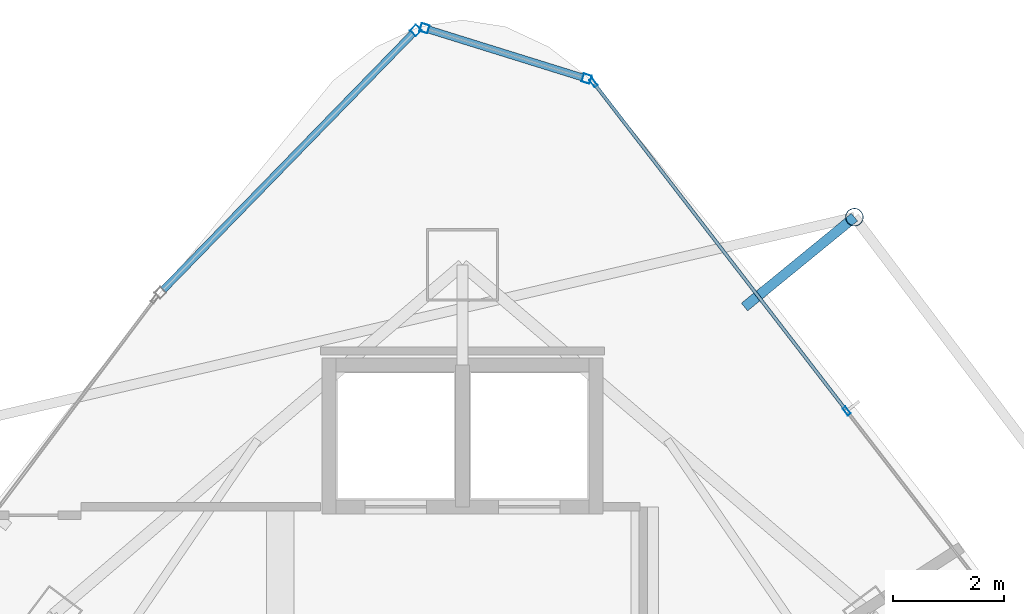
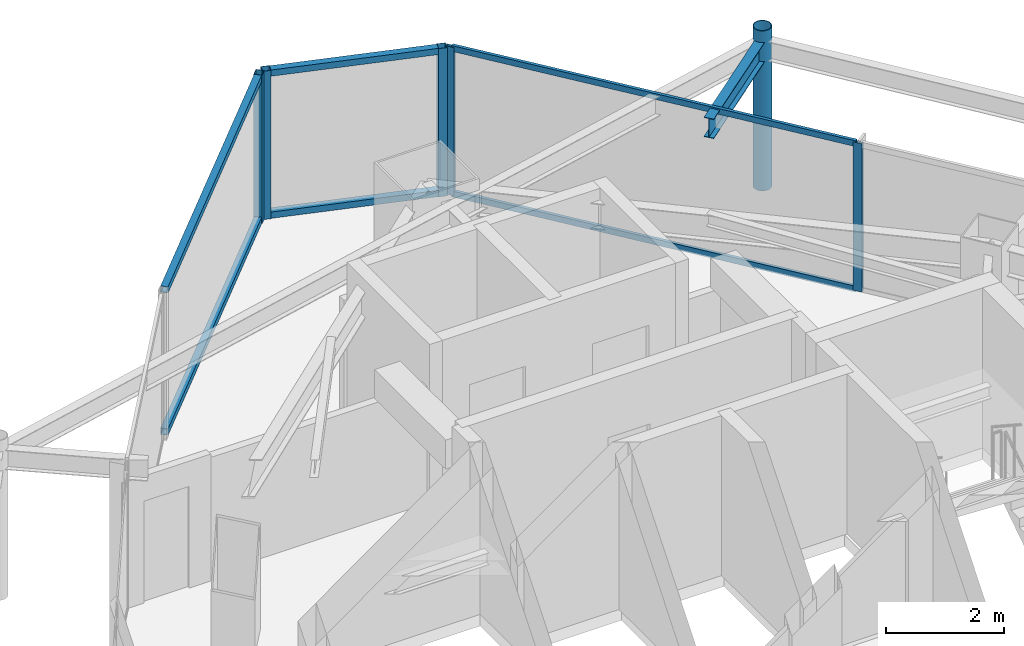
# One storey, part 23 of 30: 12 members, 1 beam, 3 elements without a shape of their own.
"""IFC4 building model written with IfcOpenShell, lengths in metres."""

from ifc_helpers import new_model, si_unit, direction, frame, origin, origin_2d, place, context, subcontext, project, spatial, hollow_rectangle, hollow_circle, i_section, extrude, material, layer, layer_set, material_profile, profile_set, type_object, element, aggregate, save


model = new_model("IFC4")

# Units and contexts
model_context = context("Model", 3, precision=1e-05, world=origin(), true_north=direction((0.0, 1.0)))
body_context = subcontext(model_context, "Body", "Model", "MODEL_VIEW")
ifc_project = project(units=[si_unit("LENGTHUNIT", "METRE"), si_unit("AREAUNIT", "SQUARE_METRE"), si_unit("VOLUMEUNIT", "CUBIC_METRE"), si_unit("PLANEANGLEUNIT", "RADIAN"), si_unit("MASSUNIT", "GRAM", prefix="KILO")], contexts=[model_context])

# Site, building, storey
site_placement = place(None, origin())
site = spatial("IfcSite", under=ifc_project, at=site_placement, CompositionType="ELEMENT")
building_placement = place(site_placement, origin())
building = spatial("IfcBuilding", under=site, at=building_placement, Name="Orvanel Arch Residences", CompositionType="ELEMENT")
storey_placement = place(building_placement, frame((0.0, 0.0, 226.10009765625)))
storey = spatial("IfcBuildingStorey", under=building, at=storey_placement, Name="L64", CompositionType="ELEMENT", Elevation=226.10009765625)

# Curtain wall, members
ifc_material_1 = material(Name="Bronze-anodised aluminium AA6063-T6", Category="aluminium")
ifc_layer_1 = layer(ifc_material_1, 0.18994140625)
ifc_layer_set_1 = layer_set([ifc_layer_1], Name="Bronze-anodised aluminium AA6063-T6")
curtain_wall_type_1 = type_object("IfcCurtainWallType", Name="CW5-CRN-SYS", PredefinedType="NOTDEFINED", material=ifc_layer_set_1)
curtain_wall_1_placement = place(storey_placement, origin())
curtain_wall_1 = element("IfcCurtainWall", 1, at=curtain_wall_1_placement, inside=storey, type_object=curtain_wall_type_1, Name="L64 CW5-CRN-SYS Unitised Curtain Wall", PredefinedType="NOTDEFINED")
ifc_material_profile_1 = material_profile(ifc_material_1, hollow_rectangle(XDim=0.14990234375, YDim=0.14990234375, WallThickness=0.0048828125, at=origin_2d()), Name="ALU150x150x5")
ifc_profile_set_1 = profile_set([ifc_material_profile_1], Name="Bronze-anodised aluminium AA6063-T6")
member_type_1 = type_object("IfcMemberType", Name="MUL-150x150", PredefinedType="MULLION", material=ifc_profile_set_1)
member_1_placement = place(storey_placement, frame((35.23046875, 44.7421875, 0.0), z_axis=(0.0, 0.0, 1.0), x_axis=(-0.297136187501, -0.954835109366, 0.0)))
member_1 = element("IfcMember", 2, at=member_1_placement, type_object=member_type_1, Name="CW-S5 mullion 1", PredefinedType="MULLION", context=body_context, shape_type="SweptSolid", body=[
    extrude(hollow_rectangle(XDim=0.14990234375, YDim=0.14990234375, WallThickness=0.0048828125, at=origin_2d()), origin(), (0.0, 0.0, 1.0), 3.059814453125),
])
member_2_placement = place(storey_placement, frame((32.317626953125, 45.648681640625, 0.0), z_axis=(0.0, 0.0, 1.0), x_axis=(-0.297136187501, -0.954835109366, 0.0)))
member_2 = element("IfcMember", 3, at=member_2_placement, type_object=member_type_1, Name="CW-S5 mullion 2", PredefinedType="MULLION", context=body_context, shape_type="SweptSolid", body=[
    extrude(hollow_rectangle(XDim=0.14990234375, YDim=0.14990234375, WallThickness=0.0048828125, at=origin_2d()), origin(), (0.0, 0.0, 1.0), 3.059814453125),
])

# Curtain wall, member
curtain_wall_2_placement = place(storey_placement, origin())
curtain_wall_2 = element("IfcCurtainWall", 4, at=curtain_wall_2_placement, inside=storey, type_object=curtain_wall_type_1, Name="L64 CW5-CRN-SYS Unitised Curtain Wall", PredefinedType="NOTDEFINED")
member_3_placement = place(storey_placement, frame((32.16064453125, 45.609375, 0.0), z_axis=(0.0, 0.0, 1.0), x_axis=(0.716477049978, -0.697610662802, 0.0)))
member_3 = element("IfcMember", 5, at=member_3_placement, type_object=member_type_1, Name="CW-S5 mullion 1", PredefinedType="MULLION", context=body_context, shape_type="SweptSolid", body=[
    extrude(hollow_rectangle(XDim=0.14990234375, YDim=0.14990234375, WallThickness=0.0048828125, at=origin_2d()), origin(), (0.0, 0.0, 1.0), 3.059814453125),
])

# Curtain wall, members
ifc_layer_2 = layer(ifc_material_1, 0.175048828125)
ifc_layer_set_2 = layer_set([ifc_layer_2], Name="Bronze-anodised aluminium AA6063-T6")
curtain_wall_type_2 = type_object("IfcCurtainWallType", Name="CW4-HI-SYS", PredefinedType="NOTDEFINED", material=ifc_layer_set_2)
curtain_wall_3_placement = place(storey_placement, origin())
curtain_wall_3 = element("IfcCurtainWall", 6, at=curtain_wall_3_placement, inside=storey, type_object=curtain_wall_type_2, Name="L64 CW4-HI-SYS Unitised Curtain Wall", PredefinedType="NOTDEFINED")
ifc_material_profile_2 = material_profile(ifc_material_1, hollow_rectangle(XDim=0.06494140625, YDim=0.159912109375, WallThickness=0.00390625, at=origin_2d()), Name="ALU160x65x4")
ifc_profile_set_2 = profile_set([ifc_material_profile_2], Name="Bronze-anodised aluminium AA6063-T6")
member_type_2 = type_object("IfcMemberType", Name="MUL-160x65", PredefinedType="MULLION", material=ifc_profile_set_2)
member_4_placement = place(storey_placement, frame((39.903564453125, 38.77197265625, 0.0), z_axis=(0.0, 0.0, 1.0), x_axis=(-0.791845950951, -0.610720877294, 0.0)))
member_4 = element("IfcMember", 7, at=member_4_placement, type_object=member_type_2, Name="CW-S4 mullion 2", PredefinedType="MULLION", context=body_context, shape_type="SweptSolid", body=[
    extrude(hollow_rectangle(XDim=0.06494140625, YDim=0.159912109375, WallThickness=0.00390625, at=origin_2d()), origin(), (0.0, 0.0, 1.0), 3.059814453125),
])
member_5_placement = place(storey_placement, frame((35.352783203125, 44.67236328125, 0.0), z_axis=(0.0, 0.0, 1.0), x_axis=(-0.791845950951, -0.610720877294, 0.0)))
member_5 = element("IfcMember", 8, at=member_5_placement, type_object=member_type_2, Name="CW-S4 mullion 3", PredefinedType="MULLION", context=body_context, shape_type="SweptSolid", body=[
    extrude(hollow_rectangle(XDim=0.06494140625, YDim=0.159912109375, WallThickness=0.00390625, at=origin_2d()), origin(), (0.0, 0.0, 1.0), 3.059814453125),
])

# Beam
ifc_material_2 = material(Name="Structural steel AS/NZS 3679.1 Grade 300 (300 MPa)", Category="steel")
ifc_material_profile_3 = material_profile(ifc_material_2, i_section(OverallWidth=0.177978515625, OverallDepth=0.406005859375, WebThickness=0.0078125, FlangeThickness=0.0126953125, at=origin_2d()), Name="410UB59.7")
ifc_profile_set_3 = profile_set([ifc_material_profile_3], Name="Structural steel AS/NZS 3679.1 Grade 300 (300 MPa)")
beam_type = type_object("IfcBeamType", Name="OB-410UB-EXT", PredefinedType="SPANDREL", material=ifc_profile_set_3)
beam_placement = place(storey_placement, frame((38.06689453125, 40.639892578125, 2.85693359375), z_axis=(0.774336704481, 0.632773789038, 0.0), x_axis=(-0.632773789038, 0.774336704481, 0.0)))
element("IfcBeam", 9, at=beam_placement, inside=storey, type_object=beam_type, Name="L64 Outer Frame Radial Tie Beam 12", PredefinedType="SPANDREL", context=body_context, shape_type="SweptSolid", body=[
    extrude(i_section(OverallWidth=0.177978515625, OverallDepth=0.406005859375, WebThickness=0.0078125, FlangeThickness=0.0126953125, at=origin_2d()), origin(), (0.0, 0.0, 1.0), 2.55078125),
])

# Member
ifc_material_3 = material(Name="Structural steel AS/NZS 1163 C350L0 (Grade 350)", Category="steel")
ifc_material_profile_4 = material_profile(ifc_material_3, hollow_circle(Radius=0.162109375, WallThickness=0.0126953125, at=origin_2d()), Name="CHS324x12.7")
ifc_profile_set_4 = profile_set([ifc_material_profile_4], Name="Structural steel AS/NZS 1163 C350L0 (Grade 350)")
member_type_3 = type_object("IfcMemberType", Name="ST-324CHS-EXT", PredefinedType="STRUT", material=ifc_profile_set_4)
member_6_placement = place(storey_placement, frame((40.0419921875, 42.25390625, 0.0), z_axis=(0.0, 0.0, 1.0), x_axis=(1.0, 0.0, 0.0)))
element("IfcMember", 10, at=member_6_placement, inside=storey, type_object=member_type_3, Name="L64 Outer Perimeter Frame Post 12", PredefinedType="STRUT", context=body_context, shape_type="SweptSolid", body=[
    extrude(hollow_circle(Radius=0.162109375, WallThickness=0.0126953125, at=origin_2d()), origin(), (0.0, 0.0, 1.0), 3.2998046875),
])

ifc_material_profile_5 = material_profile(ifc_material_1, hollow_rectangle(XDim=0.06005859375, YDim=0.1201171875, WallThickness=0.00341796875, at=origin_2d()), Name="ALU120x60x3.5")
ifc_profile_set_5 = profile_set([ifc_material_profile_5], Name="Bronze-anodised aluminium AA6063-T6")
member_type_4 = type_object("IfcMemberType", Name="TRN-120x60", PredefinedType="USERDEFINED", material=ifc_profile_set_5)
member_7_placement = place(storey_placement, frame((39.883544921875, 38.7978515625, 0.02978515625), z_axis=(-0.610713455714, 0.79185167488, 0.0), x_axis=(-0.79185167488, -0.610713455714, 0.0)))
member_7 = element("IfcMember", 11, at=member_7_placement, type_object=member_type_4, Name="CW-S4 transom 2.1", ObjectType="TRANSOM", PredefinedType="USERDEFINED", context=body_context, shape_type="SweptSolid", body=[
    extrude(hollow_rectangle(XDim=0.06005859375, YDim=0.1201171875, WallThickness=0.00341796875, at=origin_2d()), origin(), (0.0, 0.0, 1.0), 7.385986328125),
])

member_8_placement = place(storey_placement, frame((39.883544921875, 38.7978515625, 3.02978515625), z_axis=(-0.610713455714, 0.79185167488, 0.0), x_axis=(-0.79185167488, -0.610713455714, 0.0)))
member_8 = element("IfcMember", 12, at=member_8_placement, type_object=member_type_4, Name="CW-S4 transom 2.2", ObjectType="TRANSOM", PredefinedType="USERDEFINED", context=body_context, shape_type="SweptSolid", body=[
    extrude(hollow_rectangle(XDim=0.06005859375, YDim=0.1201171875, WallThickness=0.00341796875, at=origin_2d()), origin(), (0.0, 0.0, 1.0), 7.385986328125),
])

aggregate(curtain_wall_3, [member_4, member_5, member_7, member_8])

ifc_material_profile_6 = material_profile(ifc_material_1, hollow_rectangle(XDim=0.1298828125, YDim=0.1298828125, WallThickness=0.00439453125, at=origin_2d()), Name="ALU130x130x4.5")
ifc_profile_set_6 = profile_set([ifc_material_profile_6], Name="Bronze-anodised aluminium AA6063-T6")
member_type_5 = type_object("IfcMemberType", Name="TRN-130x130", PredefinedType="USERDEFINED", material=ifc_profile_set_6)
member_9_placement = place(storey_placement, frame((35.15869140625, 44.7646484375, 0.06494140625), z_axis=(-0.954838735165, 0.29712453589, 0.0), x_axis=(-0.29712453589, -0.954838735165, 0.0)))
member_9 = element("IfcMember", 13, at=member_9_placement, type_object=member_type_5, Name="CW-S5 transom 1.1", ObjectType="TRANSOM", PredefinedType="USERDEFINED", context=body_context, shape_type="SweptSolid", body=[
    extrude(hollow_rectangle(XDim=0.1298828125, YDim=0.1298828125, WallThickness=0.00439453125, at=origin_2d()), origin(), (0.0, 0.0, 1.0), 2.900634765625),
])

member_10_placement = place(storey_placement, frame((35.15869140625, 44.7646484375, 2.994873046875), z_axis=(-0.954838735165, 0.29712453589, 0.0), x_axis=(-0.29712453589, -0.954838735165, 0.0)))
member_10 = element("IfcMember", 14, at=member_10_placement, type_object=member_type_5, Name="CW-S5 transom 1.2", ObjectType="TRANSOM", PredefinedType="USERDEFINED", context=body_context, shape_type="SweptSolid", body=[
    extrude(hollow_rectangle(XDim=0.1298828125, YDim=0.1298828125, WallThickness=0.00439453125, at=origin_2d()), origin(), (0.0, 0.0, 1.0), 2.900634765625),
])

aggregate(curtain_wall_1, [member_1, member_2, member_9, member_10])

member_11_placement = place(storey_placement, frame((32.1083984375, 45.555419921875, 0.06494140625), z_axis=(-0.697630015612, -0.71645820626, 0.0), x_axis=(0.71645820626, -0.697630015612, 0.0)))
member_11 = element("IfcMember", 15, at=member_11_placement, type_object=member_type_5, Name="CW-S5 transom 1.1", ObjectType="TRANSOM", PredefinedType="USERDEFINED", context=body_context, shape_type="SweptSolid", body=[
    extrude(hollow_rectangle(XDim=0.1298828125, YDim=0.1298828125, WallThickness=0.00439453125, at=origin_2d()), origin(), (0.0, 0.0, 1.0), 6.431396484375),
])

member_12_placement = place(storey_placement, frame((32.1083984375, 45.555419921875, 2.994873046875), z_axis=(-0.697630015612, -0.71645820626, 0.0), x_axis=(0.71645820626, -0.697630015612, 0.0)))
member_12 = element("IfcMember", 16, at=member_12_placement, type_object=member_type_5, Name="CW-S5 transom 1.2", ObjectType="TRANSOM", PredefinedType="USERDEFINED", context=body_context, shape_type="SweptSolid", body=[
    extrude(hollow_rectangle(XDim=0.1298828125, YDim=0.1298828125, WallThickness=0.00439453125, at=origin_2d()), origin(), (0.0, 0.0, 1.0), 6.431396484375),
])

aggregate(curtain_wall_2, [member_3, member_11, member_12])

save(model, "model.ifc")
